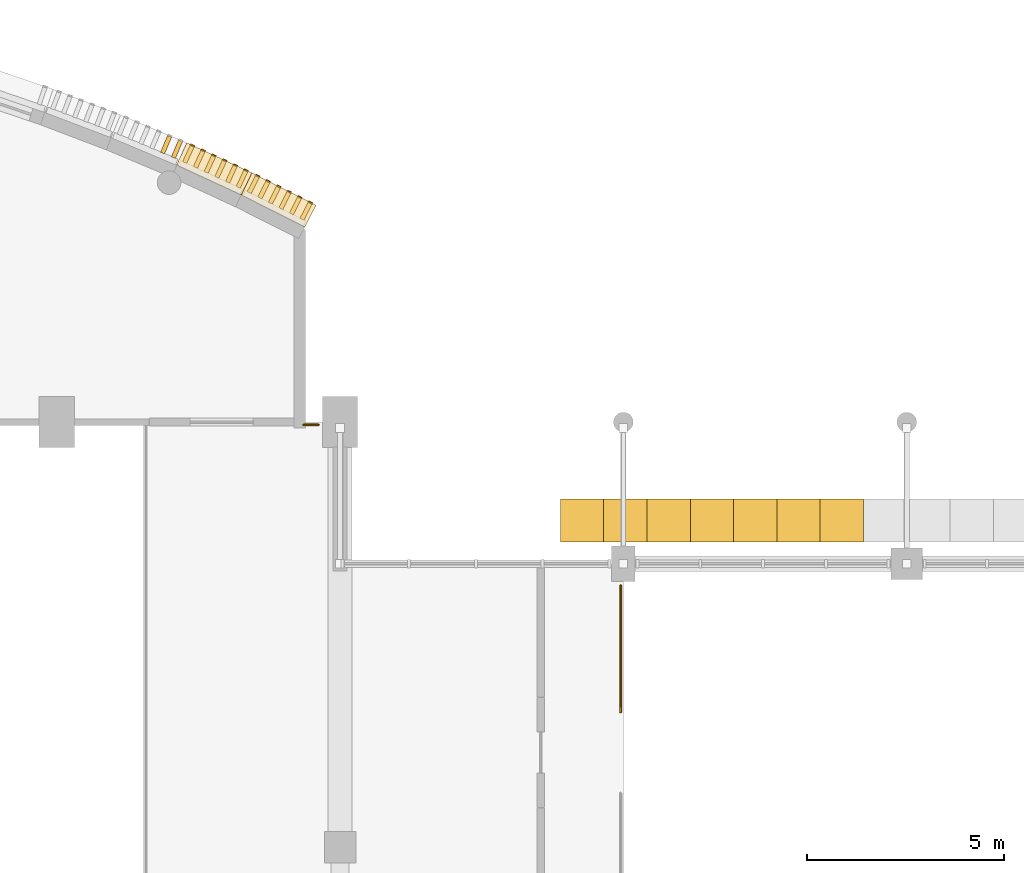
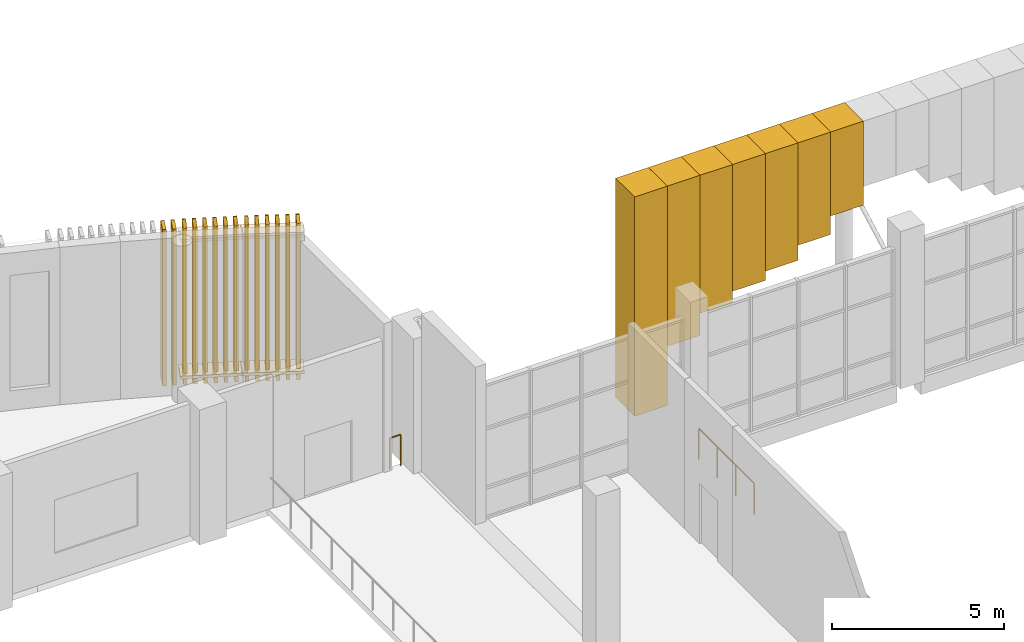
# One storey, part 75 of 80: 23 coverings, 14 shading devices, 2 railings.
"""IFC4 building model written with IfcOpenShell, lengths in metres."""

from ifc_helpers import new_model, si_unit, direction, frame, frame_2d, origin, origin_2d, place, context, subcontext, project, spatial, rectangle, circle, extrude, material, layer, layer_set, type_object, element, save


model = new_model("IFC4")

# Units and contexts
model_context = context("Model", 3, precision=1e-05, world=origin(), true_north=direction((0.0, 1.0)))
body_context = subcontext(model_context, "Body", "Model", "MODEL_VIEW")
ifc_project = project(units=[si_unit("LENGTHUNIT", "METRE"), si_unit("AREAUNIT", "SQUARE_METRE"), si_unit("VOLUMEUNIT", "CUBIC_METRE"), si_unit("PLANEANGLEUNIT", "RADIAN"), si_unit("MASSUNIT", "GRAM", prefix="KILO")], contexts=[model_context])

# Site, building, storey
site_placement = place(None, origin())
site = spatial("IfcSite", under=ifc_project, at=site_placement, CompositionType="ELEMENT")
building_placement = place(site_placement, origin())
building = spatial("IfcBuilding", under=site, at=building_placement, Name="Sardonyx Promenade Sports Hall", CompositionType="ELEMENT")
storey_placement = place(building_placement, frame((0.0, 0.0, 5.60009765625)))
storey = spatial("IfcBuildingStorey", under=building, at=storey_placement, Name="L01", CompositionType="ELEMENT", Elevation=5.60009765625)

# Coverings
ifc_material_1 = material(Name="Glulam GL28h", Category="wood")
ifc_layer_1 = layer(ifc_material_1, 0.110107421875)
ifc_layer_set_1 = layer_set([ifc_layer_1], Name="Cov_Louvre_GL28h")
covering_type_1 = type_object("IfcCoveringType", Name="Cov_Louvre_GL28h", PredefinedType="MOLDING", material=ifc_layer_set_1)
for number, where, z_axis, x_axis, name in (
    (1, (76.00341796875, 110.8359375, 0.31982421875), (0.0, 0.0, 1.0), (0.90783091315, -0.419336419989, 0.0), "Bowed louvre carrier rail L01 CH27 #1"),
    (2, (76.00341796875, 110.8359375, 5.179931640625), (0.0, 0.0, 1.0), (0.90783091315, -0.419336419989, 0.0), "Bowed louvre carrier rail L01 CH27 #2"),
):
    element("IfcCovering", number, at=place(storey_placement, frame(where, z_axis=z_axis, x_axis=x_axis)), inside=storey, type_object=covering_type_1, Name=name, PredefinedType="MOLDING", context=body_context, shape_type="SweptSolid", body=[
        extrude(rectangle(XDim=1.820068359375, YDim=0.6201171875, at=origin_2d()), origin(), (0.0, 0.0, 1.0), 0.10009765625),
    ])
for number, where, z_axis, x_axis, name in (
    (3, (75.45263671875, 111.431884765625, 0.019775390625), (0.0, 0.0, 1.0), (0.90783091315, -0.419336419989, 0.0), "Timber louvre nose molding L01 CH27 #1"),
    (4, (75.724853515625, 111.30615234375, 0.019775390625), (0.0, 0.0, 1.0), (0.90783091315, -0.419336419989, 0.0), "Timber louvre nose molding L01 CH27 #2"),
    (5, (75.997314453125, 111.18017578125, 0.019775390625), (0.0, 0.0, 1.0), (0.90783091315, -0.419336419989, 0.0), "Timber louvre nose molding L01 CH27 #3"),
    (6, (76.269775390625, 111.054443359375, 0.019775390625), (0.0, 0.0, 1.0), (0.90783091315, -0.419336419989, 0.0), "Timber louvre nose molding L01 CH27 #4"),
    (7, (76.5419921875, 110.9287109375, 0.019775390625), (0.0, 0.0, 1.0), (0.90783091315, -0.419336419989, 0.0), "Timber louvre nose molding L01 CH27 #5"),
    (8, (76.814453125, 110.802734375, 0.019775390625), (0.0, 0.0, 1.0), (0.90783091315, -0.419336419989, 0.0), "Timber louvre nose molding L01 CH27 #6"),
):
    element("IfcCovering", number, at=place(storey_placement, frame(where, z_axis=z_axis, x_axis=x_axis)), inside=storey, type_object=covering_type_1, Name=name, PredefinedType="MOLDING", context=body_context, shape_type="SweptSolid", body=[
        extrude(rectangle(XDim=0.110107421875, YDim=0.0400390625, at=origin_2d()), origin(), (0.0, 0.0, 1.0), 5.56005859375),
    ])
for number, where, z_axis, x_axis, name in (
    (9, (77.638916015625, 110.0458984375, 0.31982421875), (0.0, 0.0, 1.0), (0.892773817004, -0.450505173857, 0.0), "Bowed louvre carrier rail L01 CH28 #1"),
    (10, (77.638916015625, 110.0458984375, 5.179931640625), (0.0, 0.0, 1.0), (0.892773817004, -0.450505173857, 0.0), "Bowed louvre carrier rail L01 CH28 #2"),
):
    element("IfcCovering", number, at=place(storey_placement, frame(where, z_axis=z_axis, x_axis=x_axis)), inside=storey, type_object=covering_type_1, Name=name, PredefinedType="MOLDING", context=body_context, shape_type="SweptSolid", body=[
        extrude(rectangle(XDim=1.820068359375, YDim=0.6201171875, at=origin_2d()), origin(), (0.0, 0.0, 1.0), 0.10009765625),
    ])
for number, where, z_axis, x_axis, name in (
    (11, (77.109130859375, 110.660400390625, 0.019775390625), (0.0, 0.0, 1.0), (0.892773817004, -0.450505173857, 0.0), "Timber louvre nose molding L01 CH28 #1"),
    (12, (77.376953125, 110.525390625, 0.019775390625), (0.0, 0.0, 1.0), (0.892773817004, -0.450505173857, 0.0), "Timber louvre nose molding L01 CH28 #2"),
    (13, (77.644775390625, 110.39013671875, 0.019775390625), (0.0, 0.0, 1.0), (0.892773817004, -0.450505173857, 0.0), "Timber louvre nose molding L01 CH28 #3"),
    (14, (77.91259765625, 110.2548828125, 0.019775390625), (0.0, 0.0, 1.0), (0.892773817004, -0.450505173857, 0.0), "Timber louvre nose molding L01 CH28 #4"),
    (15, (78.180419921875, 110.119873046875, 0.019775390625), (0.0, 0.0, 1.0), (0.892773817004, -0.450505173857, 0.0), "Timber louvre nose molding L01 CH28 #5"),
    (16, (78.4482421875, 109.984619140625, 0.019775390625), (0.0, 0.0, 1.0), (0.892773817004, -0.450505173857, 0.0), "Timber louvre nose molding L01 CH28 #6"),
):
    element("IfcCovering", number, at=place(storey_placement, frame(where, z_axis=z_axis, x_axis=x_axis)), inside=storey, type_object=covering_type_1, Name=name, PredefinedType="MOLDING", context=body_context, shape_type="SweptSolid", body=[
        extrude(rectangle(XDim=0.110107421875, YDim=0.0400390625, at=origin_2d()), origin(), (0.0, 0.0, 1.0), 5.56005859375),
    ])
ifc_material_2 = material(Name="Carved Cape red sandstone ashlar", Category="masonry")
ifc_layer_2 = layer(ifc_material_2, 0.239990234375)
ifc_layer_set_2 = layer_set([ifc_layer_2], Name="Cov_Mughal_Arch")
covering_type_2 = type_object("IfcCoveringType", Name="Cov_Mughal_Arch", PredefinedType="CLADDING", material=ifc_layer_set_2)
covering_1_placement = place(storey_placement, frame((84.800048828125, 101.89990234375, 1.39697265625), z_axis=(0.0, 0.0, 1.0), x_axis=(1.0, 0.0, 0.0)))
element("IfcCovering", 17, at=covering_1_placement, inside=storey, type_object=covering_type_2, Name="Mughal pointed-arch spandrel L01 cov:pishtaq:iwan #1", PredefinedType="CLADDING", context=body_context, shape_type="SweptSolid", body=[
    extrude(rectangle(XDim=1.099853515625, YDim=1.10009765625, at=frame_2d((0.5498046875, 0.0))), origin(), (0.0, 0.0, 1.0), 7.802978515625),
])
covering_2_placement = place(storey_placement, frame((85.89990234375, 101.89990234375, 3.505615234375), z_axis=(0.0, 0.0, 1.0), x_axis=(1.0, 0.0, 0.0)))
element("IfcCovering", 18, at=covering_2_placement, inside=storey, type_object=covering_type_2, Name="Mughal pointed-arch spandrel L01 cov:pishtaq:iwan #2", PredefinedType="CLADDING", context=body_context, shape_type="SweptSolid", body=[
    extrude(rectangle(XDim=1.10009765625, YDim=1.10009765625, at=frame_2d((0.550048828125, 0.0))), origin(), (0.0, 0.0, 1.0), 5.6943359375),
])
covering_3_placement = place(storey_placement, frame((87.0, 101.89990234375, 4.2939453125), z_axis=(0.0, 0.0, 1.0), x_axis=(1.0, 0.0, 0.0)))
element("IfcCovering", 19, at=covering_3_placement, inside=storey, type_object=covering_type_2, Name="Mughal pointed-arch spandrel L01 cov:pishtaq:iwan #3", PredefinedType="CLADDING", context=body_context, shape_type="SweptSolid", body=[
    extrude(rectangle(XDim=1.10009765625, YDim=1.10009765625, at=frame_2d((0.550048828125, 0.0))), origin(), (0.0, 0.0, 1.0), 4.906005859375),
])
covering_4_placement = place(storey_placement, frame((88.10009765625, 101.89990234375, 4.690673828125), z_axis=(0.0, 0.0, 1.0), x_axis=(1.0, 0.0, 0.0)))
element("IfcCovering", 20, at=covering_4_placement, inside=storey, type_object=covering_type_2, Name="Mughal pointed-arch spandrel L01 cov:pishtaq:iwan #4", PredefinedType="CLADDING", context=body_context, shape_type="SweptSolid", body=[
    extrude(rectangle(XDim=1.099853515625, YDim=1.10009765625, at=frame_2d((0.5498046875, 0.0))), origin(), (0.0, 0.0, 1.0), 4.50927734375),
])
covering_5_placement = place(storey_placement, frame((89.199951171875, 101.89990234375, 5.018798828125), z_axis=(0.0, 0.0, 1.0), x_axis=(1.0, 0.0, 0.0)))
element("IfcCovering", 21, at=covering_5_placement, inside=storey, type_object=covering_type_2, Name="Mughal pointed-arch spandrel L01 cov:pishtaq:iwan #5", PredefinedType="CLADDING", context=body_context, shape_type="SweptSolid", body=[
    extrude(rectangle(XDim=1.10009765625, YDim=1.10009765625, at=frame_2d((0.550048828125, 0.0))), origin(), (0.0, 0.0, 1.0), 4.18115234375),
])
covering_6_placement = place(storey_placement, frame((90.300048828125, 101.89990234375, 5.555419921875), z_axis=(0.0, 0.0, 1.0), x_axis=(1.0, 0.0, 0.0)))
element("IfcCovering", 22, at=covering_6_placement, inside=storey, type_object=covering_type_2, Name="Mughal pointed-arch spandrel L01 cov:pishtaq:iwan #6", PredefinedType="CLADDING", context=body_context, shape_type="SweptSolid", body=[
    extrude(rectangle(XDim=1.099853515625, YDim=1.10009765625, at=frame_2d((0.5498046875, 0.0))), origin(), (0.0, 0.0, 1.0), 3.64453125),
])
covering_7_placement = place(storey_placement, frame((91.39990234375, 101.89990234375, 6.213134765625), z_axis=(0.0, 0.0, 1.0), x_axis=(1.0, 0.0, 0.0)))
element("IfcCovering", 23, at=covering_7_placement, inside=storey, type_object=covering_type_2, Name="Mughal pointed-arch spandrel L01 cov:pishtaq:iwan #7", PredefinedType="CLADDING", context=body_context, shape_type="SweptSolid", body=[
    extrude(rectangle(XDim=1.10009765625, YDim=1.10009765625, at=frame_2d((0.550048828125, 0.0))), origin(), (0.0, 0.0, 1.0), 2.98681640625),
])

# Railings
ifc_material_3 = material(Name="Powder-coated Steel S355JR", Category="steel")
railing_type = type_object("IfcRailingType", Name="Rail_Int_Guard_1100", PredefinedType="GUARDRAIL", material=ifc_material_3)
railing_1_placement = place(storey_placement, frame((86.330078125, 97.030029296875, 0.0)))
element("IfcRailing", 24, at=railing_1_placement, inside=storey, type_object=railing_type, Name="Deck-edge guardrail GR02 L01 #16", PredefinedType="GUARDRAIL", context=body_context, shape_type="SweptSolid", body=[
    extrude(circle(Radius=0.02392578125, at=origin_2d()), frame((0.0, 0.0, 1.09619140625), z_axis=(0.0, 1.0, 0.0), x_axis=(-1.0, 0.0, 0.0)), (0.0, 0.0, 1.0), 3.219970703125),
    extrude(circle(Radius=0.02099609375, at=origin_2d()), origin(), (0.0, 0.0, 1.0), 1.072021484375),
    extrude(circle(Radius=0.02099609375, at=origin_2d()), frame((0.0, 1.0732421875, 0.0)), (0.0, 0.0, 1.0), 1.072021484375),
    extrude(circle(Radius=0.02099609375, at=origin_2d()), frame((0.0, 2.146728515625, 0.0)), (0.0, 0.0, 1.0), 1.072021484375),
    extrude(circle(Radius=0.02099609375, at=origin_2d()), frame((0.0, 3.219970703125, 0.0)), (0.0, 0.0, 1.0), 1.072021484375),
])
railing_2_placement = place(storey_placement, frame((78.64990234375, 104.330078125, 0.0)))
element("IfcRailing", 25, at=railing_2_placement, inside=storey, type_object=railing_type, Name="Deck-edge guardrail GR02 L01 #17", PredefinedType="GUARDRAIL", context=body_context, shape_type="SweptSolid", body=[
    extrude(circle(Radius=0.02392578125, at=origin_2d()), frame((0.0, 0.0, 1.09619140625), z_axis=(-1.0, 0.0, 0.0), x_axis=(0.0, -1.0, 0.0)), (0.0, 0.0, 1.0), 0.37353515625),
    extrude(circle(Radius=0.02099609375, at=origin_2d()), origin(), (0.0, 0.0, 1.0), 1.072021484375),
    extrude(circle(Radius=0.02099609375, at=origin_2d()), frame((-0.37353515625, 0.0, 0.0)), (0.0, 0.0, 1.0), 1.072021484375),
])

# Shading devices
ifc_material_4 = material(Name="Glulam GL28h", Category="wood")
shading_device_type = type_object("IfcShadingDeviceType", Name="Shade_Louvre_GL28h", PredefinedType="USERDEFINED", material=ifc_material_4)
for number, where, z_axis, x_axis, name in (
    (26, (74.779693, 111.449768, 0.019902), (0.0, 0.0, 1.0), (0.92180024, -0.38766521, 0.0), "Timber louvre TL01 L01 CH26 #5"),
    (27, (75.056233, 111.333468, 0.019902), (0.0, 0.0, 1.0), (0.92180024, -0.38766521, 0.0), "Timber louvre TL01 L01 CH26 #6"),
    (28, (75.34778, 111.204874, 0.019902), (0.0, 0.0, 1.0), (0.90783091, -0.41933642, 0.0), "Timber louvre TL01 L01 CH27 #1"),
    (29, (75.620129, 111.079074, 0.019902), (0.0, 0.0, 1.0), (0.90783091, -0.41933642, 0.0), "Timber louvre TL01 L01 CH27 #2"),
    (30, (75.892479, 110.953273, 0.019902), (0.0, 0.0, 1.0), (0.90783091, -0.41933642, 0.0), "Timber louvre TL01 L01 CH27 #3"),
    (31, (76.164828, 110.827472, 0.019902), (0.0, 0.0, 1.0), (0.90783091, -0.41933642, 0.0), "Timber louvre TL01 L01 CH27 #4"),
    (32, (76.437177, 110.701671, 0.019902), (0.0, 0.0, 1.0), (0.90783091, -0.41933642, 0.0), "Timber louvre TL01 L01 CH27 #5"),
    (33, (76.709527, 110.57587, 0.019902), (0.0, 0.0, 1.0), (0.90783091, -0.41933642, 0.0), "Timber louvre TL01 L01 CH27 #6"),
    (34, (76.996449, 110.437263, 0.019902), (0.0, 0.0, 1.0), (0.89277382, -0.45050517, 0.0), "Timber louvre TL01 L01 CH28 #1"),
    (35, (77.264281, 110.302112, 0.019902), (0.0, 0.0, 1.0), (0.89277382, -0.45050517, 0.0), "Timber louvre TL01 L01 CH28 #2"),
    (36, (77.532113, 110.16696, 0.019902), (0.0, 0.0, 1.0), (0.89277382, -0.45050517, 0.0), "Timber louvre TL01 L01 CH28 #3"),
    (37, (77.799945, 110.031809, 0.019902), (0.0, 0.0, 1.0), (0.89277382, -0.45050517, 0.0), "Timber louvre TL01 L01 CH28 #4"),
    (38, (78.067777, 109.896657, 0.019902), (0.0, 0.0, 1.0), (0.89277382, -0.45050517, 0.0), "Timber louvre TL01 L01 CH28 #5"),
    (39, (78.33561, 109.761506, 0.019902), (0.0, 0.0, 1.0), (0.89277382, -0.45050517, 0.0), "Timber louvre TL01 L01 CH28 #6"),
):
    element("IfcShadingDevice", number, at=place(storey_placement, frame(where, z_axis=z_axis, x_axis=x_axis)), inside=storey, type_object=shading_device_type, material=ifc_material_4, Name=name, ObjectType="LOUVRE", PredefinedType="USERDEFINED", context=body_context, shape_type="SweptSolid", body=[
        extrude(rectangle(XDim=0.11, YDim=0.46), origin(), (0.0, 0.0, 1.0), 5.56),
    ])

save(model, "model.ifc")
